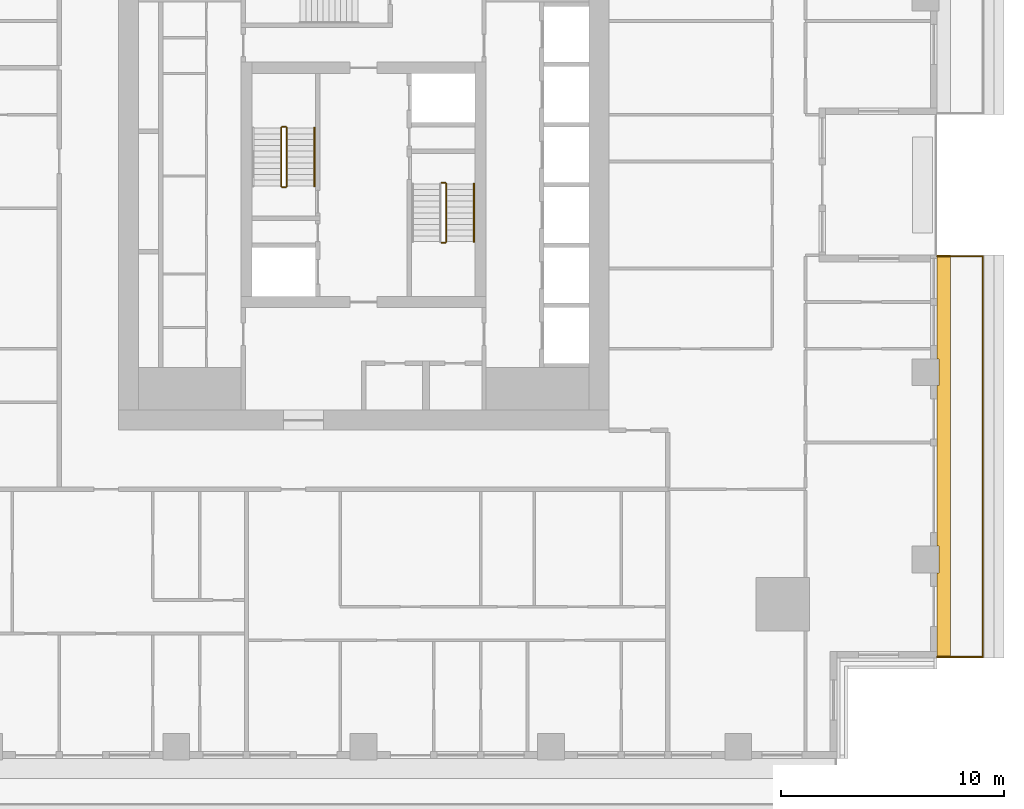
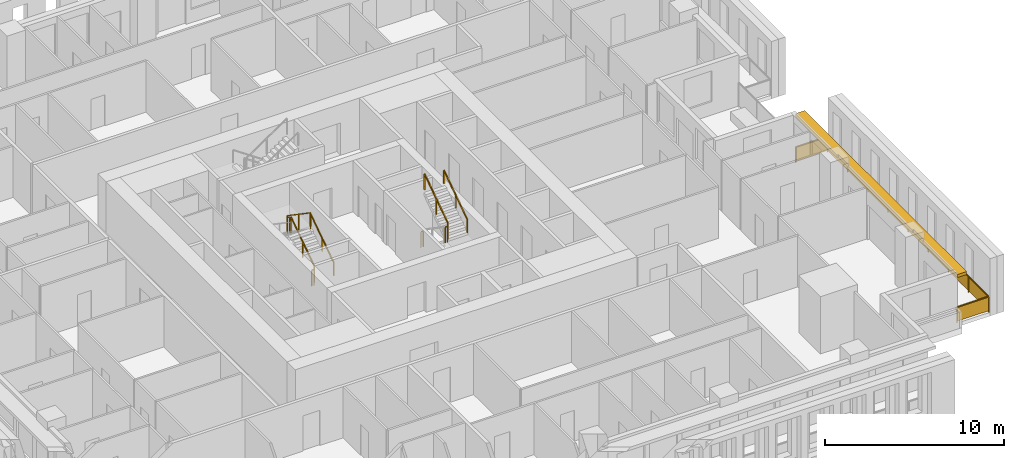
# One storey, part 14 of 17: 10 railings, 1 shading device.
"""IFC4 building model written with IfcOpenShell, lengths in metres."""

from ifc_helpers import new_model, si_unit, direction, frame, origin, origin_2d, place, context, subcontext, project, spatial, polyline, rectangle, outline, extrude, material, layer, layer_set, type_object, element, save


model = new_model("IFC4")

# Units and contexts
model_context = context("Model", 3, precision=1e-05, world=origin(), true_north=direction((0.0, 1.0)))
body_context = subcontext(model_context, "Body", "Model", "MODEL_VIEW")
ifc_project = project(units=[si_unit("LENGTHUNIT", "METRE"), si_unit("AREAUNIT", "SQUARE_METRE"), si_unit("VOLUMEUNIT", "CUBIC_METRE"), si_unit("PLANEANGLEUNIT", "RADIAN"), si_unit("MASSUNIT", "GRAM", prefix="KILO")], contexts=[model_context])

# Site, building, storey
site_placement = place(None, origin())
site = spatial("IfcSite", under=ifc_project, at=site_placement, CompositionType="ELEMENT")
building_placement = place(site_placement, origin())
building = spatial("IfcBuilding", under=site, at=building_placement, Name="Khepri Terraces", CompositionType="ELEMENT")
storey_placement = place(building_placement, frame((0.0, 0.0, 188.39990234375)))
storey = spatial("IfcBuildingStorey", under=building, at=storey_placement, Name="L44", CompositionType="ELEMENT", Elevation=188.39990234375)

# Railings
ifc_material_1 = material(Name="Stainless steel grade 316", Category="steel")
railing_type_1 = type_object("IfcRailingType", Name="GRD-BAL-1100", PredefinedType="GUARDRAIL", material=ifc_material_1)
railing_1_placement = place(storey_placement, frame((25.719970703125, -21.169921875, 0.0)))
element("IfcRailing", 1, at=railing_1_placement, inside=storey, type_object=railing_type_1, Name="Balcony guard L44 E", PredefinedType="GUARDRAIL", context=body_context, shape_type="SweptSolid", body=[
    extrude(rectangle(XDim=0.050048828125, YDim=0.06005859375, at=origin_2d()), frame((0.0, 0.0, 1.070068359375), z_axis=(1.0, 0.0, 0.0), x_axis=(0.0, 1.0, 0.0)), (0.0, 0.0, 1.0), 2.050048828125),
    extrude(rectangle(XDim=2.0, YDim=0.011962890625, at=origin_2d()), frame((1.02490234375, 0.0, 0.10009765625), z_axis=(0.0, 0.0, 1.0), x_axis=(1.0, 0.0, 0.0)), (0.0, 0.0, 1.0), 0.93994140625),
    extrude(rectangle(XDim=0.050048828125, YDim=0.06005859375, at=origin_2d()), frame((2.050048828125, 0.0, 1.070068359375), z_axis=(0.0, 1.0, 0.0), x_axis=(-1.0, 0.0, 0.0)), (0.0, 0.0, 1.0), 17.969970703125),
    extrude(rectangle(XDim=2.1962890625, YDim=0.011962890625, at=origin_2d()), frame((2.050048828125, 1.123046875, 0.10009765625), z_axis=(0.0, 0.0, 1.0), x_axis=(0.0, 1.0, 0.0)), (0.0, 0.0, 1.0), 0.93994140625),
    extrude(rectangle(XDim=2.1962890625, YDim=0.011962890625, at=origin_2d()), frame((2.050048828125, 3.369384765625, 0.10009765625), z_axis=(0.0, 0.0, 1.0), x_axis=(0.0, 1.0, 0.0)), (0.0, 0.0, 1.0), 0.93994140625),
    extrude(rectangle(XDim=2.1962890625, YDim=0.011962890625, at=origin_2d()), frame((2.050048828125, 5.61572265625, 0.10009765625), z_axis=(0.0, 0.0, 1.0), x_axis=(0.0, 1.0, 0.0)), (0.0, 0.0, 1.0), 0.93994140625),
    extrude(rectangle(XDim=2.1962890625, YDim=0.011962890625, at=origin_2d()), frame((2.050048828125, 7.86181640625, 0.10009765625), z_axis=(0.0, 0.0, 1.0), x_axis=(0.0, 1.0, 0.0)), (0.0, 0.0, 1.0), 0.93994140625),
    extrude(rectangle(XDim=2.1962890625, YDim=0.011962890625, at=origin_2d()), frame((2.050048828125, 10.108154296875, 0.10009765625), z_axis=(0.0, 0.0, 1.0), x_axis=(0.0, 1.0, 0.0)), (0.0, 0.0, 1.0), 0.93994140625),
    extrude(rectangle(XDim=2.1962890625, YDim=0.011962890625, at=origin_2d()), frame((2.050048828125, 12.354248046875, 0.10009765625), z_axis=(0.0, 0.0, 1.0), x_axis=(0.0, 1.0, 0.0)), (0.0, 0.0, 1.0), 0.93994140625),
    extrude(rectangle(XDim=2.1962890625, YDim=0.011962890625, at=origin_2d()), frame((2.050048828125, 14.6005859375, 0.10009765625), z_axis=(0.0, 0.0, 1.0), x_axis=(0.0, 1.0, 0.0)), (0.0, 0.0, 1.0), 0.93994140625),
    extrude(rectangle(XDim=2.1962890625, YDim=0.011962890625, at=origin_2d()), frame((2.050048828125, 16.846923828125, 0.10009765625), z_axis=(0.0, 0.0, 1.0), x_axis=(0.0, 1.0, 0.0)), (0.0, 0.0, 1.0), 0.93994140625),
    extrude(rectangle(XDim=0.050048828125, YDim=0.06005859375, at=origin_2d()), frame((2.050048828125, 17.969970703125, 1.070068359375), z_axis=(-1.0, 0.0, 0.0), x_axis=(0.0, -1.0, 0.0)), (0.0, 0.0, 1.0), 2.050048828125),
    extrude(rectangle(XDim=2.0, YDim=0.011962890625, at=origin_2d()), frame((1.02490234375, 17.969970703125, 0.10009765625), z_axis=(0.0, 0.0, 1.0), x_axis=(-1.0, 0.0, 0.0)), (0.0, 0.0, 1.0), 0.93994140625),
    extrude(rectangle(XDim=0.050048828125, YDim=0.050048828125, at=origin_2d()), origin(), (0.0, 0.0, 1.0), 1.0400390625),
    extrude(rectangle(XDim=0.050048828125, YDim=0.050048828125, at=origin_2d()), frame((2.050048828125, 0.0, 0.0)), (0.0, 0.0, 1.0), 1.0400390625),
    extrude(rectangle(XDim=0.050048828125, YDim=0.050048828125, at=origin_2d()), frame((2.050048828125, 2.246337890625, 0.0)), (0.0, 0.0, 1.0), 1.0400390625),
    extrude(rectangle(XDim=0.050048828125, YDim=0.050048828125, at=origin_2d()), frame((2.050048828125, 4.492431640625, 0.0)), (0.0, 0.0, 1.0), 1.0400390625),
    extrude(rectangle(XDim=0.050048828125, YDim=0.050048828125, at=origin_2d()), frame((2.050048828125, 6.73876953125, 0.0)), (0.0, 0.0, 1.0), 1.0400390625),
    extrude(rectangle(XDim=0.050048828125, YDim=0.050048828125, at=origin_2d()), frame((2.050048828125, 8.98486328125, 0.0)), (0.0, 0.0, 1.0), 1.0400390625),
    extrude(rectangle(XDim=0.050048828125, YDim=0.050048828125, at=origin_2d()), frame((2.050048828125, 11.231201171875, 0.0)), (0.0, 0.0, 1.0), 1.0400390625),
    extrude(rectangle(XDim=0.050048828125, YDim=0.050048828125, at=origin_2d()), frame((2.050048828125, 13.4775390625, 0.0)), (0.0, 0.0, 1.0), 1.0400390625),
    extrude(rectangle(XDim=0.050048828125, YDim=0.050048828125, at=origin_2d()), frame((2.050048828125, 15.7236328125, 0.0)), (0.0, 0.0, 1.0), 1.0400390625),
    extrude(rectangle(XDim=0.050048828125, YDim=0.050048828125, at=origin_2d()), frame((2.050048828125, 17.969970703125, 0.0)), (0.0, 0.0, 1.0), 1.0400390625),
    extrude(rectangle(XDim=0.050048828125, YDim=0.050048828125, at=origin_2d()), frame((0.0, 17.969970703125, 0.0)), (0.0, 0.0, 1.0), 1.0400390625),
])
ifc_material_2 = material(Name="Stainless steel 316", Category="steel")
railing_type_2 = type_object("IfcRailingType", Name="RL-CORE-GUARD", PredefinedType="GUARDRAIL", material=ifc_material_2)
railing_2_placement = place(storey_placement, frame((-3.449951171875, -0.050048828125, 0.177490234375)))
element("IfcRailing", 2, at=railing_2_placement, inside=storey, type_object=railing_type_2, Name="L44 ST-1 stair guard 1", PredefinedType="GUARDRAIL", context=body_context, shape_type="SweptSolid", body=[
    extrude(rectangle(XDim=0.050048828125, YDim=0.06005859375, at=origin_2d()), frame((0.0, 0.0, 1.070068359375), z_axis=(0.0, 0.826240473404, 0.563317565952), x_axis=(-1.0, 0.0, 0.0)), (0.0, 0.0, 1.0), 3.14697265625),
    extrude(rectangle(XDim=0.050048828125, YDim=0.050048828125, at=origin_2d()), origin(), (0.0, 0.0, 1.0), 1.0400390625),
    extrude(rectangle(XDim=0.050048828125, YDim=0.050048828125, at=origin_2d()), frame((0.0, 1.300048828125, 0.88623046875)), (0.0, 0.0, 1.0), 1.0400390625),
    extrude(rectangle(XDim=0.050048828125, YDim=0.050048828125, at=origin_2d()), frame((0.0, 2.60009765625, 1.772705078125)), (0.0, 0.0, 1.0), 1.0400390625),
])
railing_3_placement = place(storey_placement, frame((-3.5, 2.60009765625, 1.9501953125)))
element("IfcRailing", 3, at=railing_3_placement, inside=storey, type_object=railing_type_2, Name="L44 ST-1 stair guard 2", PredefinedType="GUARDRAIL", context=body_context, shape_type="SweptSolid", body=[
    extrude(rectangle(XDim=0.050048828125, YDim=0.06005859375, at=origin_2d()), frame((0.0, 0.0, 1.070068359375), z_axis=(-1.0, 0.0, 0.0), x_axis=(0.0, -1.0, 0.0)), (0.0, 0.0, 1.0), 0.14990234375),
    extrude(rectangle(XDim=0.050048828125, YDim=0.050048828125, at=origin_2d()), origin(), (0.0, 0.0, 1.0), 1.0400390625),
    extrude(rectangle(XDim=0.050048828125, YDim=0.050048828125, at=origin_2d()), frame((-0.14990234375, 0.0, 0.0)), (0.0, 0.0, 1.0), 1.0400390625),
])
railing_4_placement = place(storey_placement, frame((-3.699951171875, 2.550048828125, 2.12744140625)))
element("IfcRailing", 4, at=railing_4_placement, inside=storey, type_object=railing_type_2, Name="L44 ST-1 stair guard 3", PredefinedType="GUARDRAIL", context=body_context, shape_type="SweptSolid", body=[
    extrude(rectangle(XDim=0.050048828125, YDim=0.06005859375, at=origin_2d()), frame((0.0, 0.0, 1.070068359375), z_axis=(0.0, -0.826240473404, 0.563317565952), x_axis=(1.0, 0.0, 0.0)), (0.0, 0.0, 1.0), 3.14697265625),
    extrude(rectangle(XDim=0.050048828125, YDim=0.050048828125, at=origin_2d()), origin(), (0.0, 0.0, 1.0), 1.0400390625),
    extrude(rectangle(XDim=0.050048828125, YDim=0.050048828125, at=origin_2d()), frame((0.0, -1.300048828125, 0.88623046875)), (0.0, 0.0, 1.0), 1.0400390625),
    extrude(rectangle(XDim=0.050048828125, YDim=0.050048828125, at=origin_2d()), frame((0.0, -2.60009765625, 1.772705078125)), (0.0, 0.0, 1.0), 1.0400390625),
])
railing_5_placement = place(storey_placement, frame((-3.5, -0.10009765625, 0.0)))
element("IfcRailing", 5, at=railing_5_placement, inside=storey, type_object=railing_type_2, Name="L44 ST-1 stair guard 4", PredefinedType="GUARDRAIL", context=body_context, shape_type="SweptSolid", body=[
    extrude(rectangle(XDim=0.050048828125, YDim=0.06005859375, at=origin_2d()), frame((0.0, 0.0, 1.070068359375), z_axis=(-1.0, 0.0, 0.0), x_axis=(0.0, -1.0, 0.0)), (0.0, 0.0, 1.0), 0.14990234375),
    extrude(rectangle(XDim=0.050048828125, YDim=0.050048828125, at=origin_2d()), origin(), (0.0, 0.0, 1.0), 1.0400390625),
    extrude(rectangle(XDim=0.050048828125, YDim=0.050048828125, at=origin_2d()), frame((-0.14990234375, 0.0, 0.0)), (0.0, 0.0, 1.0), 1.0400390625),
])
railing_6_placement = place(storey_placement, frame((3.5, -2.60009765625, 1.9501953125)))
element("IfcRailing", 6, at=railing_6_placement, inside=storey, type_object=railing_type_2, Name="L44 ST-2 stair guard 2", PredefinedType="GUARDRAIL", context=body_context, shape_type="SweptSolid", body=[
    extrude(rectangle(XDim=0.050048828125, YDim=0.06005859375, at=origin_2d()), frame((0.0, 0.0, 1.070068359375), z_axis=(1.0, 0.0, 0.0), x_axis=(0.0, 1.0, 0.0)), (0.0, 0.0, 1.0), 0.14990234375),
    extrude(rectangle(XDim=0.050048828125, YDim=0.050048828125, at=origin_2d()), origin(), (0.0, 0.0, 1.0), 1.0400390625),
    extrude(rectangle(XDim=0.050048828125, YDim=0.050048828125, at=origin_2d()), frame((0.14990234375, 0.0, 0.0)), (0.0, 0.0, 1.0), 1.0400390625),
])
railing_7_placement = place(storey_placement, frame((3.699951171875, -2.550048828125, 2.12744140625)))
element("IfcRailing", 7, at=railing_7_placement, inside=storey, type_object=railing_type_2, Name="L44 ST-2 stair guard 3", PredefinedType="GUARDRAIL", context=body_context, shape_type="SweptSolid", body=[
    extrude(rectangle(XDim=0.050048828125, YDim=0.06005859375, at=origin_2d()), frame((0.0, 0.0, 1.070068359375), z_axis=(0.0, 0.826240473404, 0.563317565952), x_axis=(-1.0, 0.0, 0.0)), (0.0, 0.0, 1.0), 3.14697265625),
    extrude(rectangle(XDim=0.050048828125, YDim=0.050048828125, at=origin_2d()), origin(), (0.0, 0.0, 1.0), 1.0400390625),
    extrude(rectangle(XDim=0.050048828125, YDim=0.050048828125, at=origin_2d()), frame((0.0, 1.300048828125, 0.88623046875)), (0.0, 0.0, 1.0), 1.0400390625),
    extrude(rectangle(XDim=0.050048828125, YDim=0.050048828125, at=origin_2d()), frame((0.0, 2.60009765625, 1.772705078125)), (0.0, 0.0, 1.0), 1.0400390625),
])
railing_8_placement = place(storey_placement, frame((3.5, 0.10009765625, 0.0)))
element("IfcRailing", 8, at=railing_8_placement, inside=storey, type_object=railing_type_2, Name="L44 ST-2 stair guard 4", PredefinedType="GUARDRAIL", context=body_context, shape_type="SweptSolid", body=[
    extrude(rectangle(XDim=0.050048828125, YDim=0.06005859375, at=origin_2d()), frame((0.0, 0.0, 1.070068359375), z_axis=(1.0, 0.0, 0.0), x_axis=(0.0, 1.0, 0.0)), (0.0, 0.0, 1.0), 0.14990234375),
    extrude(rectangle(XDim=0.050048828125, YDim=0.050048828125, at=origin_2d()), origin(), (0.0, 0.0, 1.0), 1.0400390625),
    extrude(rectangle(XDim=0.050048828125, YDim=0.050048828125, at=origin_2d()), frame((0.14990234375, 0.0, 0.0)), (0.0, 0.0, 1.0), 1.0400390625),
])
railing_type_3 = type_object("IfcRailingType", Name="RL-CORE-HANDRAIL", PredefinedType="HANDRAIL", material=ifc_material_2)
for number, where, name in (
    (9, (-2.199951171875, -0.050048828125, 0.177490234375), "L44 ST-1 stair handrail 1"),
    (10, (4.949951171875, -2.550048828125, 2.12744140625), "L44 ST-2 stair handrail 2"),
):
    element("IfcRailing", number, at=place(storey_placement, frame(where)), inside=storey, type_object=railing_type_3, Name=name, PredefinedType="HANDRAIL", context=body_context, shape_type="SweptSolid", body=[
        extrude(rectangle(XDim=0.050048828125, YDim=0.050048828125, at=origin_2d()), frame((0.0, 0.0, 0.875), z_axis=(0.0, 0.826240473404, 0.563317565952), x_axis=(-1.0, 0.0, 0.0)), (0.0, 0.0, 1.0), 3.14697265625),
        extrude(rectangle(XDim=0.050048828125, YDim=0.050048828125, at=origin_2d()), origin(), (0.0, 0.0, 1.0), 0.849853515625),
        extrude(rectangle(XDim=0.050048828125, YDim=0.050048828125, at=origin_2d()), frame((0.0, 1.300048828125, 0.88623046875)), (0.0, 0.0, 1.0), 0.849853515625),
        extrude(rectangle(XDim=0.050048828125, YDim=0.050048828125, at=origin_2d()), frame((0.0, 2.60009765625, 1.772705078125)), (0.0, 0.0, 1.0), 0.849853515625),
    ])

# Shading device
ifc_material_3 = material(Name="Precast concrete C50/60 warm stone", Category="masonry")
ifc_layer = layer(ifc_material_3, 0.199951171875, Name="Precast concrete C50/60 warm stone", Category="masonry")
ifc_layer_set = layer_set([ifc_layer], Name="Precast concrete C50/60 warm stone")
shading_device_type = type_object("IfcShadingDeviceType", Name="SSH-BAND-STONE-200-N", PredefinedType="USERDEFINED", material=ifc_layer_set)
shading_device_placement = place(storey_placement, frame((0.0, 0.0, 3.10009765625)))
element("IfcShadingDevice", 11, at=shading_device_placement, inside=storey, type_object=shading_device_type, Name="Sunshade band L44 E", ObjectType="SUNSHADE", PredefinedType="USERDEFINED", context=body_context, shape_type="SweptSolid", body=[
    extrude(outline(polyline([(25.719970703125, -17.39990234375), (25.719970703125, -21.219970703125), (26.320068359375, -21.219970703125), (26.320068359375, -3.14990234375), (25.719970703125, -3.14990234375), (25.719970703125, -7.800048828125), (25.800048828125, -7.800048828125), (25.800048828125, -9.0), (25.719970703125, -9.0), (25.719970703125, -16.199951171875), (25.800048828125, -16.199951171875), (25.800048828125, -17.39990234375), (25.719970703125, -17.39990234375)])), origin(), (0.0, 0.0, 1.0), 0.199951171875),
])

save(model, "model.ifc")
